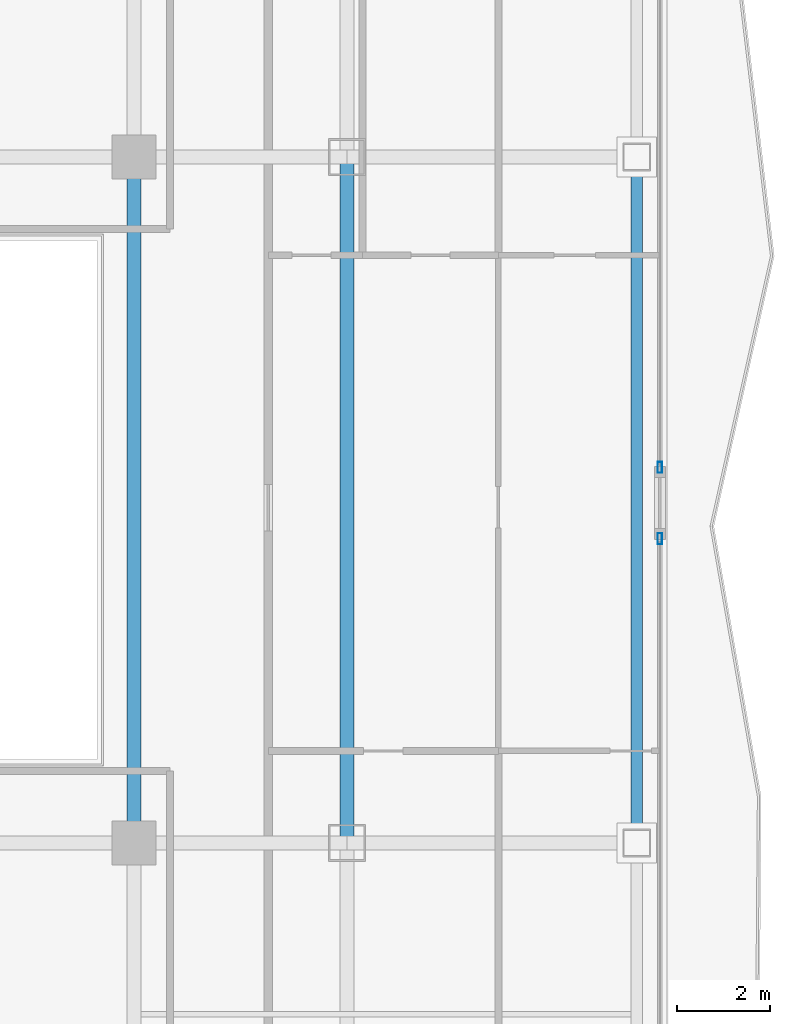
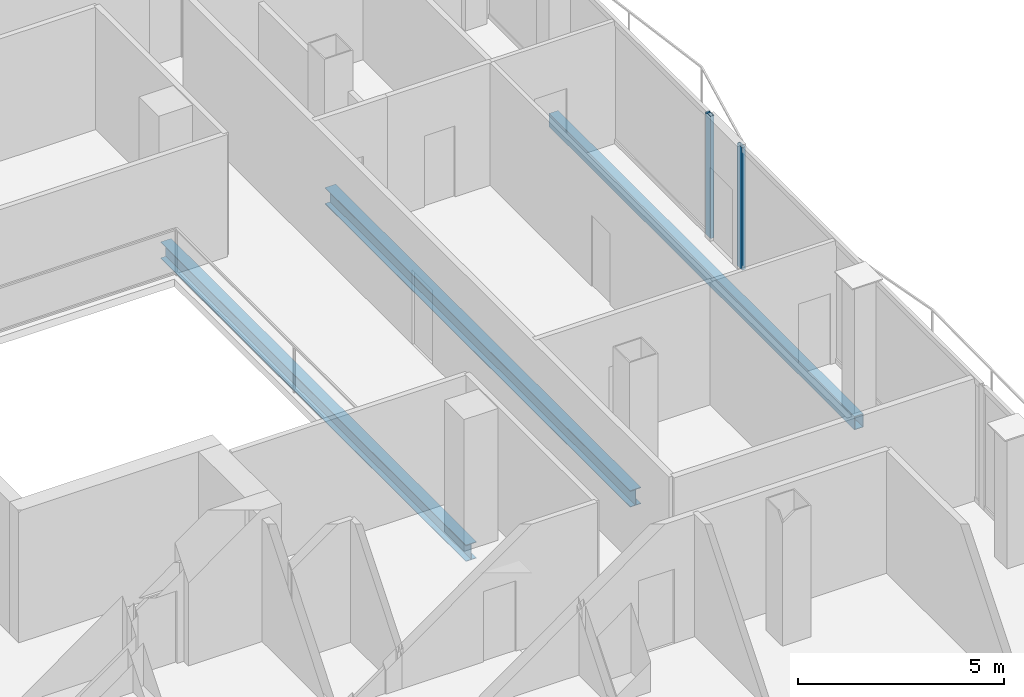
# One storey, part 12 of 26: 3 beams, 2 members, 2 elements without a shape of their own.
"""IFC4 building model written with IfcOpenShell, lengths in metres."""

from ifc_helpers import new_model, si_unit, direction, frame, origin, origin_2d, place, context, subcontext, project, spatial, hollow_rectangle, i_section, extrude, material, layer, layer_set, material_profile, profile_set, type_object, element, aggregate, save


model = new_model("IFC4")

# Units and contexts
model_context = context("Model", 3, precision=1e-05, world=origin(), true_north=direction((0.0, 1.0)))
body_context = subcontext(model_context, "Body", "Model", "MODEL_VIEW")
ifc_project = project(units=[si_unit("LENGTHUNIT", "METRE"), si_unit("AREAUNIT", "SQUARE_METRE"), si_unit("VOLUMEUNIT", "CUBIC_METRE"), si_unit("PLANEANGLEUNIT", "RADIAN"), si_unit("MASSUNIT", "GRAM", prefix="KILO")], contexts=[model_context])

# Site, building, storey
site_placement = place(None, origin())
site = spatial("IfcSite", under=ifc_project, at=site_placement, CompositionType="ELEMENT")
building_placement = place(site_placement, origin())
building = spatial("IfcBuilding", under=site, at=building_placement, Name="Khorvyn Point Tower", CompositionType="ELEMENT")
storey_placement = place(building_placement, frame((0.0, 0.0, 250.800048828125)))
storey = spatial("IfcBuildingStorey", under=building, at=storey_placement, Name="L61", CompositionType="ELEMENT", Elevation=250.800048828125)

# Curtain wall, member
ifc_material_1 = material(Name="Anodised aluminium 6063-T6 and laminated Low-E glass", Category="aluminium")
ifc_layer = layer(ifc_material_1, 0.18994140625)
ifc_layer_set = layer_set([ifc_layer], Name="Stick-Built Acoustic Curtain Wall CW-SYS-03")
curtain_wall_type = type_object("IfcCurtainWallType", Name="Stick-Built Acoustic Curtain Wall CW-SYS-03", PredefinedType="NOTDEFINED", material=ifc_layer_set)
curtain_wall_1_placement = place(storey_placement, origin())
curtain_wall_1 = element("IfcCurtainWall", 1, at=curtain_wall_1_placement, inside=storey, type_object=curtain_wall_type, Name="Curtain Wall", PredefinedType="NOTDEFINED")
ifc_material_2 = material(Name="Anodised aluminium 6063-T6", Category="aluminium")
ifc_material_profile_1 = material_profile(ifc_material_2, hollow_rectangle(XDim=0.10009765625, YDim=0.239990234375, WallThickness=0.0048828125, at=origin_2d()))
ifc_profile_set_1 = profile_set([ifc_material_profile_1], Name="Anodised aluminium 6063-T6 ALU-MUL-100x240")
member_type = type_object("IfcMemberType", Name="Anodised Aluminium 6063-T6 Mullion ALU-MUL-100x240", PredefinedType="MULLION", material=ifc_profile_set_1)
member_1_placement = place(storey_placement, frame((26.14990234375, 0.702880859375, 0.0), z_axis=(0.0, 0.0, 1.0), x_axis=(1.0, 0.0, 0.0)))
member_1 = element("IfcMember", 2, at=member_1_placement, type_object=member_type, Name="Transom", PredefinedType="MULLION", context=body_context, shape_type="SweptSolid", body=[
    extrude(hollow_rectangle(XDim=0.10009765625, YDim=0.239990234375, WallThickness=0.0048828125, at=origin_2d()), origin(), (0.0, 0.0, 1.0), 3.619873046875),
])
aggregate(curtain_wall_1, [member_1])

curtain_wall_2_placement = place(storey_placement, origin())
curtain_wall_2 = element("IfcCurtainWall", 3, at=curtain_wall_2_placement, inside=storey, type_object=curtain_wall_type, Name="Curtain Wall", PredefinedType="NOTDEFINED")
member_2_placement = place(storey_placement, frame((26.14990234375, -0.8369140625, 0.0), z_axis=(0.0, 0.0, 1.0), x_axis=(1.0, 0.0, 0.0)))
member_2 = element("IfcMember", 4, at=member_2_placement, type_object=member_type, Name="Transom", PredefinedType="MULLION", context=body_context, shape_type="SweptSolid", body=[
    extrude(hollow_rectangle(XDim=0.10009765625, YDim=0.239990234375, WallThickness=0.0048828125, at=origin_2d()), origin(), (0.0, 0.0, 1.0), 3.619873046875),
])
aggregate(curtain_wall_2, [member_2])

# Beams
ifc_material_3 = material(Name="Steel S355", Category="steel")
ifc_material_profile_2 = material_profile(ifc_material_3, i_section(OverallWidth=0.300048828125, OverallDepth=0.488037109375, WebThickness=0.010986328125, FlangeThickness=0.01806640625, at=origin_2d()))
ifc_profile_set_2 = profile_set([ifc_material_profile_2], Name="Steel S355 H488x300x11x18")
beam_type_1 = type_object("IfcBeamType", Name="Steel S355 Spandrel H488x300x11x18", PredefinedType="SPANDREL", material=ifc_profile_set_2)
for number, where, z_axis, x_axis, name in (
    (5, (14.800048828125, -7.39990234375, -0.464111328125), (0.0, 1.0, 0.0), (-1.0, 0.0, 0.0), "Beam"),
    (6, (19.39990234375, -7.39990234375, -0.464111328125), (0.0, 1.0, 0.0), (-1.0, 0.0, 0.0), "Beam"),
):
    element("IfcBeam", number, at=place(storey_placement, frame(where, z_axis=z_axis, x_axis=x_axis)), inside=storey, type_object=beam_type_1, Name=name, PredefinedType="SPANDREL", context=body_context, shape_type="SweptSolid", body=[
        extrude(i_section(OverallWidth=0.300048828125, OverallDepth=0.488037109375, WebThickness=0.010986328125, FlangeThickness=0.01806640625, at=origin_2d()), origin(), (0.0, 0.0, 1.0), 14.7998046875),
    ])
ifc_material_profile_3 = material_profile(ifc_material_3, hollow_rectangle(XDim=0.25, YDim=0.39990234375, WallThickness=0.01611328125, at=origin_2d()))
ifc_profile_set_3 = profile_set([ifc_material_profile_3], Name="Steel S355 RHS400x250x16")
beam_type_2 = type_object("IfcBeamType", Name="Steel S355 Spandrel RHS400x250x16", PredefinedType="SPANDREL", material=ifc_profile_set_3)
beam_placement = place(storey_placement, frame((25.64990234375, -7.39990234375, -0.420166015625), z_axis=(0.0, 1.0, 0.0), x_axis=(-1.0, 0.0, 0.0)))
element("IfcBeam", 7, at=beam_placement, inside=storey, type_object=beam_type_2, Name="Beam", PredefinedType="SPANDREL", context=body_context, shape_type="SweptSolid", body=[
    extrude(hollow_rectangle(XDim=0.25, YDim=0.39990234375, WallThickness=0.01611328125, at=origin_2d()), origin(), (0.0, 0.0, 1.0), 14.7998046875),
])

save(model, "model.ifc")
